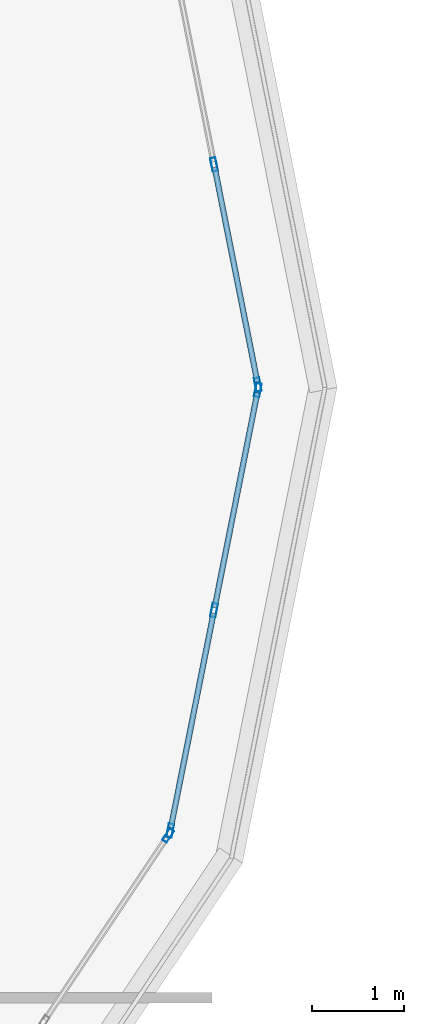
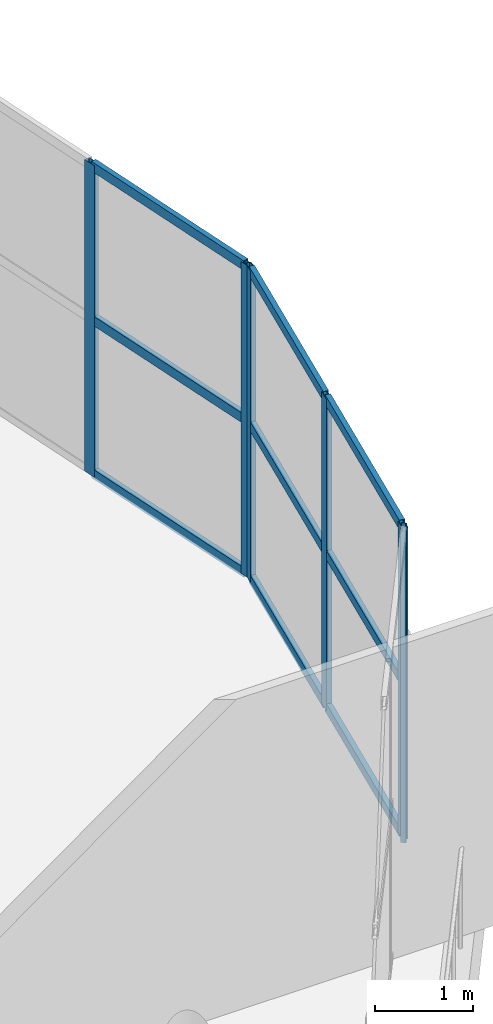
# One storey, part 32 of 57: 15 members, 3 elements without a shape of their own.
"""IFC4 building model written with IfcOpenShell, lengths in metres."""

from ifc_helpers import new_model, si_unit, direction, frame, origin, origin_2d, place, context, subcontext, project, spatial, hollow_rectangle, extrude, material, layer, layer_set, material_profile, profile_set, type_object, element, aggregate, save


model = new_model("IFC4")

# Units and contexts
model_context = context("Model", 3, precision=1e-05, world=origin(), true_north=direction((0.0, 1.0)))
body_context = subcontext(model_context, "Body", "Model", "MODEL_VIEW")
ifc_project = project(units=[si_unit("LENGTHUNIT", "METRE"), si_unit("AREAUNIT", "SQUARE_METRE"), si_unit("VOLUMEUNIT", "CUBIC_METRE"), si_unit("PLANEANGLEUNIT", "RADIAN"), si_unit("MASSUNIT", "GRAM", prefix="KILO")], contexts=[model_context])

# Site, building, storey
site_placement = place(None, origin())
site = spatial("IfcSite", under=ifc_project, at=site_placement, CompositionType="ELEMENT")
building_placement = place(site_placement, origin())
building = spatial("IfcBuilding", under=site, at=building_placement, Name="Zizhar Promenade General Hospital", CompositionType="ELEMENT")
storey_placement = place(building_placement, frame((0.0, 0.0, 22.199951171875)))
storey = spatial("IfcBuildingStorey", under=building, at=storey_placement, Name="L05", CompositionType="ELEMENT", Elevation=22.199951171875)

# Curtain wall, member
ifc_material_1 = material(Name="Anodised aluminium 6063-T6 and low-E glass", Category="aluminium")
ifc_layer = layer(ifc_material_1, 0.159912109375)
ifc_layer_set = layer_set([ifc_layer], Name="Anodised aluminium 6063-T6 and low-E glass")
curtain_wall_type = type_object("IfcCurtainWallType", Name="CW-WARD-ARC", PredefinedType="NOTDEFINED", material=ifc_layer_set)
curtain_wall_1_placement = place(storey_placement, origin())
curtain_wall_1 = element("IfcCurtainWall", 1, at=curtain_wall_1_placement, inside=storey, type_object=curtain_wall_type, Name="Ward Semicircular End Glazing L05-03", PredefinedType="NOTDEFINED")
ifc_material_2 = material(Name="Anodised aluminium 6063-T6", Category="aluminium")
ifc_material_profile_1 = material_profile(ifc_material_2, hollow_rectangle(XDim=0.06005859375, YDim=0.14990234375, WallThickness=0.00390625, at=origin_2d()))
ifc_profile_set_1 = profile_set([ifc_material_profile_1], Name="Anodised aluminium 6063-T6")
member_type_1 = type_object("IfcMemberType", Name="CWM-ALU-150x60", PredefinedType="MULLION", material=ifc_profile_set_1)
member_1_placement = place(storey_placement, frame((130.024169921875, 7.753173828125, 0.0), z_axis=(0.0, 0.0, 1.0), x_axis=(0.831461514468, -0.555582352095, 0.0)))
member_1 = element("IfcMember", 2, at=member_1_placement, type_object=member_type_1, Name="CW-12 mullion 1", PredefinedType="MULLION", context=body_context, shape_type="SweptSolid", body=[
    extrude(hollow_rectangle(XDim=0.06005859375, YDim=0.14990234375, WallThickness=0.00390625, at=origin_2d()), origin(), (0.0, 0.0, 1.0), 3.900146484375),
])
aggregate(curtain_wall_1, [member_1])

# Curtain wall, members
curtain_wall_2_placement = place(storey_placement, origin())
curtain_wall_2 = element("IfcCurtainWall", 3, at=curtain_wall_2_placement, inside=storey, type_object=curtain_wall_type, Name="Ward Semicircular End Glazing L05-04", PredefinedType="NOTDEFINED")
member_2_placement = place(storey_placement, frame((130.994140625, 12.570556640625, 0.0), z_axis=(0.0, 0.0, 1.0), x_axis=(0.980785889615, -0.195087259275, 0.0)))
member_2 = element("IfcMember", 4, at=member_2_placement, type_object=member_type_1, Name="CW-12 mullion 1", PredefinedType="MULLION", context=body_context, shape_type="SweptSolid", body=[
    extrude(hollow_rectangle(XDim=0.06005859375, YDim=0.14990234375, WallThickness=0.00390625, at=origin_2d()), origin(), (0.0, 0.0, 1.0), 3.900146484375),
])
member_3_placement = place(storey_placement, frame((130.5205078125, 10.189208984375, 0.0), z_axis=(0.0, 0.0, 1.0), x_axis=(0.980785889615, -0.195087259275, 0.0)))
member_3 = element("IfcMember", 5, at=member_3_placement, type_object=member_type_1, Name="CW-12 mullion 2", PredefinedType="MULLION", context=body_context, shape_type="SweptSolid", body=[
    extrude(hollow_rectangle(XDim=0.06005859375, YDim=0.14990234375, WallThickness=0.00390625, at=origin_2d()), origin(), (0.0, 0.0, 1.0), 3.900146484375),
])
member_4_placement = place(storey_placement, frame((130.046630859375, 7.8076171875, 0.0), z_axis=(0.0, 0.0, 1.0), x_axis=(0.980785889615, -0.195087259275, 0.0)))
member_4 = element("IfcMember", 6, at=member_4_placement, type_object=member_type_1, Name="CW-12 mullion 3", PredefinedType="MULLION", context=body_context, shape_type="SweptSolid", body=[
    extrude(hollow_rectangle(XDim=0.06005859375, YDim=0.14990234375, WallThickness=0.00390625, at=origin_2d()), origin(), (0.0, 0.0, 1.0), 3.900146484375),
])

curtain_wall_3_placement = place(storey_placement, origin())
curtain_wall_3 = element("IfcCurtainWall", 7, at=curtain_wall_3_placement, inside=storey, type_object=curtain_wall_type, Name="Ward Semicircular End Glazing L05-05", PredefinedType="NOTDEFINED")
member_5_placement = place(storey_placement, frame((130.5205078125, 15.010986328125, 0.0), z_axis=(0.0, 0.0, 1.0), x_axis=(0.980785889615, 0.195087259275, 0.0)))
member_5 = element("IfcMember", 8, at=member_5_placement, type_object=member_type_1, Name="CW-12 mullion 2", PredefinedType="MULLION", context=body_context, shape_type="SweptSolid", body=[
    extrude(hollow_rectangle(XDim=0.06005859375, YDim=0.14990234375, WallThickness=0.00390625, at=origin_2d()), origin(), (0.0, 0.0, 1.0), 3.900146484375),
])
member_6_placement = place(storey_placement, frame((130.994140625, 12.62939453125, 0.0), z_axis=(0.0, 0.0, 1.0), x_axis=(0.980785889615, 0.195087259275, 0.0)))
member_6 = element("IfcMember", 9, at=member_6_placement, type_object=member_type_1, Name="CW-12 mullion 3", PredefinedType="MULLION", context=body_context, shape_type="SweptSolid", body=[
    extrude(hollow_rectangle(XDim=0.06005859375, YDim=0.14990234375, WallThickness=0.00390625, at=origin_2d()), origin(), (0.0, 0.0, 1.0), 3.900146484375),
])

# Member
ifc_material_3 = material(Name="Anodised aluminium 6063-T6", Category="aluminium")
ifc_material_profile_2 = material_profile(ifc_material_3, hollow_rectangle(XDim=0.06005859375, YDim=0.1201171875, WallThickness=0.00390625, at=origin_2d()))
ifc_profile_set_2 = profile_set([ifc_material_profile_2], Name="Anodised aluminium 6063-T6")
member_type_2 = type_object("IfcMemberType", Name="CWT-ALU-120x60", PredefinedType="USERDEFINED", material=ifc_profile_set_2)
member_7_placement = place(storey_placement, frame((130.98828125, 12.541259765625, 0.030029296875), z_axis=(-0.195045472693, -0.980794200422, 0.0), x_axis=(0.980794200422, -0.195045472693, 0.0)))
member_7 = element("IfcMember", 10, at=member_7_placement, type_object=member_type_2, Name="CW-12 transom 1.1", ObjectType="TRANSOM", PredefinedType="USERDEFINED", context=body_context, shape_type="SweptSolid", body=[
    extrude(hollow_rectangle(XDim=0.06005859375, YDim=0.1201171875, WallThickness=0.00390625, at=origin_2d()), origin(), (0.0, 0.0, 1.0), 2.3681640625),
])

member_8_placement = place(storey_placement, frame((130.98828125, 12.541259765625, 1.949951171875), z_axis=(-0.195045472693, -0.980794200422, 0.0), x_axis=(0.980794200422, -0.195045472693, 0.0)))
member_8 = element("IfcMember", 11, at=member_8_placement, type_object=member_type_2, Name="CW-12 transom 1.2", ObjectType="TRANSOM", PredefinedType="USERDEFINED", context=body_context, shape_type="SweptSolid", body=[
    extrude(hollow_rectangle(XDim=0.06005859375, YDim=0.1201171875, WallThickness=0.00390625, at=origin_2d()), origin(), (0.0, 0.0, 1.0), 2.3681640625),
])

member_9_placement = place(storey_placement, frame((130.98828125, 12.541259765625, 3.8701171875), z_axis=(-0.195045472693, -0.980794200422, 0.0), x_axis=(0.980794200422, -0.195045472693, 0.0)))
member_9 = element("IfcMember", 12, at=member_9_placement, type_object=member_type_2, Name="CW-12 transom 1.3", ObjectType="TRANSOM", PredefinedType="USERDEFINED", context=body_context, shape_type="SweptSolid", body=[
    extrude(hollow_rectangle(XDim=0.06005859375, YDim=0.1201171875, WallThickness=0.00390625, at=origin_2d()), origin(), (0.0, 0.0, 1.0), 2.3681640625),
])

member_10_placement = place(storey_placement, frame((130.5146484375, 10.15966796875, 0.030029296875), z_axis=(-0.195164369634, -0.98077054851, 0.0), x_axis=(0.98077054851, -0.195164369634, 0.0)))
member_10 = element("IfcMember", 13, at=member_10_placement, type_object=member_type_2, Name="CW-12 transom 2.1", ObjectType="TRANSOM", PredefinedType="USERDEFINED", context=body_context, shape_type="SweptSolid", body=[
    extrude(hollow_rectangle(XDim=0.06005859375, YDim=0.1201171875, WallThickness=0.00390625, at=origin_2d()), origin(), (0.0, 0.0, 1.0), 2.3681640625),
])

member_11_placement = place(storey_placement, frame((130.5146484375, 10.15966796875, 1.949951171875), z_axis=(-0.195164369634, -0.98077054851, 0.0), x_axis=(0.98077054851, -0.195164369634, 0.0)))
member_11 = element("IfcMember", 14, at=member_11_placement, type_object=member_type_2, Name="CW-12 transom 2.2", ObjectType="TRANSOM", PredefinedType="USERDEFINED", context=body_context, shape_type="SweptSolid", body=[
    extrude(hollow_rectangle(XDim=0.06005859375, YDim=0.1201171875, WallThickness=0.00390625, at=origin_2d()), origin(), (0.0, 0.0, 1.0), 2.3681640625),
])

member_12_placement = place(storey_placement, frame((130.5146484375, 10.15966796875, 3.8701171875), z_axis=(-0.195164369634, -0.98077054851, 0.0), x_axis=(0.98077054851, -0.195164369634, 0.0)))
member_12 = element("IfcMember", 15, at=member_12_placement, type_object=member_type_2, Name="CW-12 transom 2.3", ObjectType="TRANSOM", PredefinedType="USERDEFINED", context=body_context, shape_type="SweptSolid", body=[
    extrude(hollow_rectangle(XDim=0.06005859375, YDim=0.1201171875, WallThickness=0.00390625, at=origin_2d()), origin(), (0.0, 0.0, 1.0), 2.3681640625),
])

aggregate(curtain_wall_2, [member_2, member_3, member_4, member_7, member_8, member_9, member_10, member_11, member_12])

member_13_placement = place(storey_placement, frame((130.5263671875, 14.9814453125, 0.030029296875), z_axis=(0.195065195628, -0.980790278018, 0.0), x_axis=(0.980790278018, 0.195065195628, 0.0)))
member_13 = element("IfcMember", 16, at=member_13_placement, type_object=member_type_2, Name="CW-12 transom 2.1", ObjectType="TRANSOM", PredefinedType="USERDEFINED", context=body_context, shape_type="SweptSolid", body=[
    extrude(hollow_rectangle(XDim=0.06005859375, YDim=0.1201171875, WallThickness=0.00390625, at=origin_2d()), origin(), (0.0, 0.0, 1.0), 2.367919921875),
])

member_14_placement = place(storey_placement, frame((130.5263671875, 14.9814453125, 1.949951171875), z_axis=(0.195065195628, -0.980790278018, 0.0), x_axis=(0.980790278018, 0.195065195628, 0.0)))
member_14 = element("IfcMember", 17, at=member_14_placement, type_object=member_type_2, Name="CW-12 transom 2.2", ObjectType="TRANSOM", PredefinedType="USERDEFINED", context=body_context, shape_type="SweptSolid", body=[
    extrude(hollow_rectangle(XDim=0.06005859375, YDim=0.1201171875, WallThickness=0.00390625, at=origin_2d()), origin(), (0.0, 0.0, 1.0), 2.367919921875),
])

member_15_placement = place(storey_placement, frame((130.5263671875, 14.9814453125, 3.8701171875), z_axis=(0.195065195628, -0.980790278018, 0.0), x_axis=(0.980790278018, 0.195065195628, 0.0)))
member_15 = element("IfcMember", 18, at=member_15_placement, type_object=member_type_2, Name="CW-12 transom 2.3", ObjectType="TRANSOM", PredefinedType="USERDEFINED", context=body_context, shape_type="SweptSolid", body=[
    extrude(hollow_rectangle(XDim=0.06005859375, YDim=0.1201171875, WallThickness=0.00390625, at=origin_2d()), origin(), (0.0, 0.0, 1.0), 2.367919921875),
])

aggregate(curtain_wall_3, [member_5, member_6, member_13, member_14, member_15])

save(model, "model.ifc")
